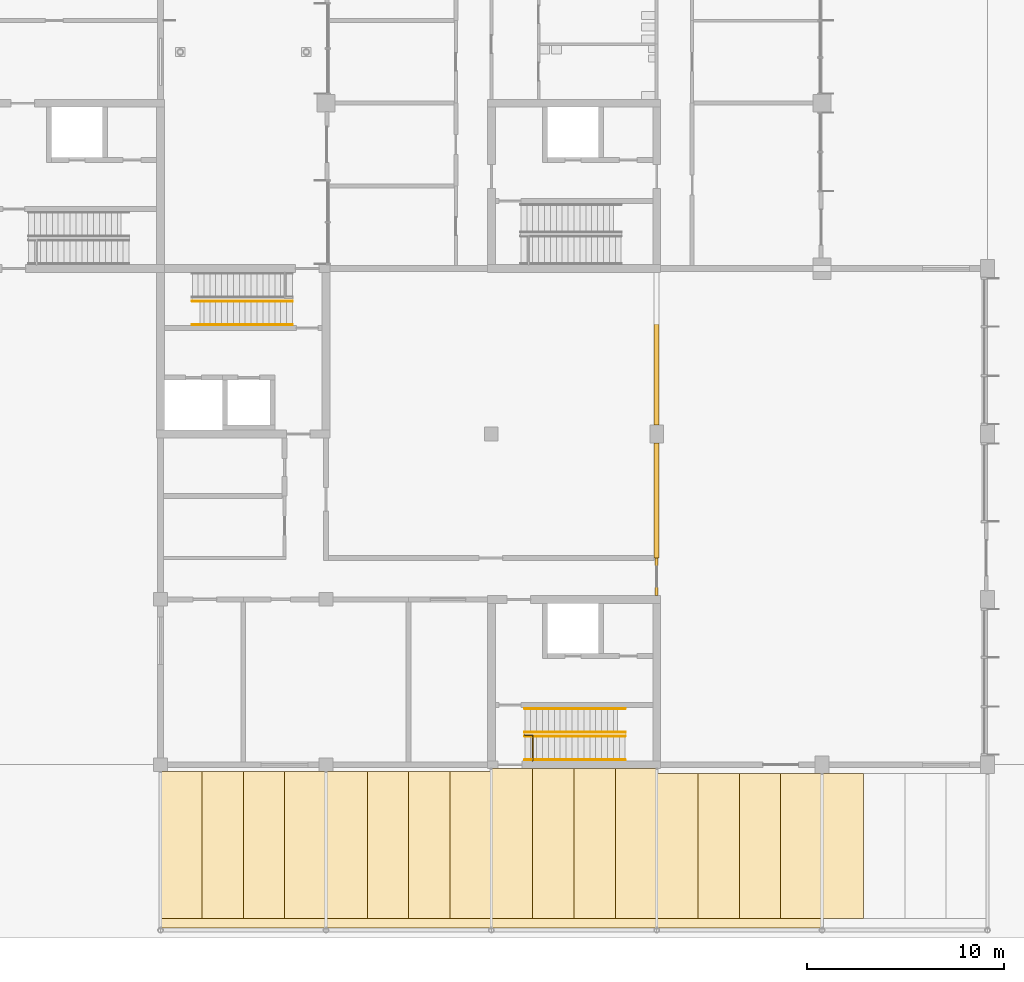
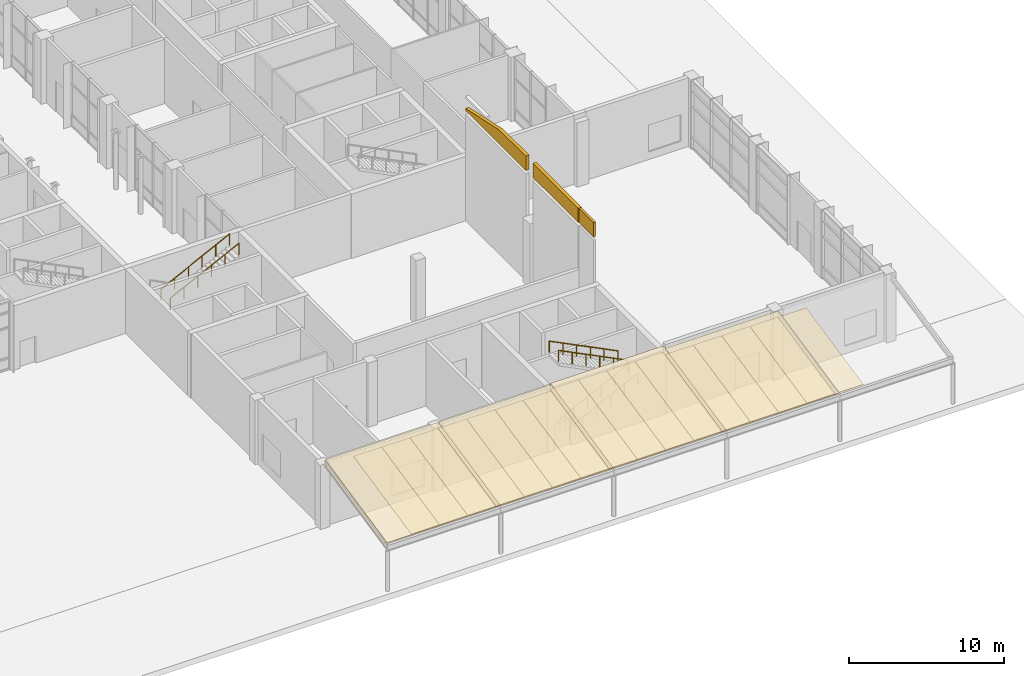
# One storey, part 63 of 76: 24 coverings, 7 railings.
"""IFC4 building model written with IfcOpenShell, lengths in metres."""

from ifc_helpers import new_model, si_unit, direction, frame, frame_2d, origin, origin_2d, place, context, subcontext, project, spatial, polyline, rectangle, circle, outline, extrude, material, layer, layer_set, type_object, element, save


model = new_model("IFC4")

# Units and contexts
model_context = context("Model", 3, precision=1e-05, world=origin(), true_north=direction((0.0, 1.0)))
body_context = subcontext(model_context, "Body", "Model", "MODEL_VIEW")
ifc_project = project(units=[si_unit("LENGTHUNIT", "METRE"), si_unit("AREAUNIT", "SQUARE_METRE"), si_unit("VOLUMEUNIT", "CUBIC_METRE"), si_unit("PLANEANGLEUNIT", "RADIAN"), si_unit("MASSUNIT", "GRAM", prefix="KILO")], contexts=[model_context])

# Site, building, storey
site_placement = place(None, origin())
site = spatial("IfcSite", under=ifc_project, at=site_placement, CompositionType="ELEMENT")
building_placement = place(site_placement, origin())
building = spatial("IfcBuilding", under=site, at=building_placement, Name="Hlaing Beacon Police Headquarters", CompositionType="ELEMENT")
storey_placement = place(building_placement, origin())
storey = spatial("IfcBuildingStorey", under=building, at=storey_placement, Name="L00", CompositionType="ELEMENT", Elevation=0.0)

# Coverings
ifc_material_1 = material(Name="Concrete blockwork 7.5 N/mm2", Category="masonry")
ifc_layer_1 = layer(ifc_material_1, 0.25)
ifc_layer_set_1 = layer_set([ifc_layer_1], Name="Concrete blockwork 7.5 N/mm2")
covering_type_1 = type_object("IfcCoveringType", Name="Closure panel, Armoury wall EI 120 250", PredefinedType="CLADDING", material=ifc_layer_set_1)
covering_1_placement = place(storey_placement, frame((117.60009765625, 18.89990234375, 8.654052734375), z_axis=(0.0, 0.0, 1.0), x_axis=(0.0, 1.0, 0.0)))
element("IfcCovering", 1, at=covering_1_placement, inside=storey, type_object=covering_type_1, Name="Closure panel Armoury wall EI 120 250", PredefinedType="CLADDING", context=body_context, shape_type="SweptSolid", body=[
    extrude(rectangle(XDim=5.85009765625, YDim=0.25, at=frame_2d((2.925048828125, 0.0))), origin(), (0.0, 0.0, 1.0), 1.115966796875),
])
covering_2_placement = place(storey_placement, frame((117.60009765625, 25.64990234375, 8.654052734375), z_axis=(0.0, 0.0, 1.0), x_axis=(0.0, 1.0, 0.0)))
element("IfcCovering", 2, at=covering_2_placement, inside=storey, type_object=covering_type_1, Name="Closure panel Armoury wall EI 120 250", PredefinedType="CLADDING", context=body_context, shape_type="SweptSolid", body=[
    extrude(outline(polyline([(0.0, 0.0), (7.75, 0.0), (7.75, 0.168212890625), (5.050048828125, 0.750244140625), (3.3525390625, 1.115966796875), (0.0, 1.115966796875), (0.0, 0.0)])), frame((0.0, 0.125, 0.0), z_axis=(0.0, -1.0, 0.0), x_axis=(1.0, 0.0, 0.0)), (0.0, 0.0, 1.0), 0.25),
])
ifc_material_2 = material(Name="Gypsum board partition")
ifc_layer_2 = layer(ifc_material_2, 0.14990234375)
ifc_layer_set_2 = layer_set([ifc_layer_2], Name="Gypsum board partition")
covering_type_2 = type_object("IfcCoveringType", Name="Closure panel, Corridor wall EI 30 150", PredefinedType="CLADDING", material=ifc_layer_set_2)
covering_3_placement = place(storey_placement, frame((117.60009765625, 17.0, 8.654052734375), z_axis=(0.0, 0.0, 1.0), x_axis=(0.0, 1.0, 0.0)))
element("IfcCovering", 3, at=covering_3_placement, inside=storey, type_object=covering_type_2, Name="Closure panel Corridor wall EI 30 150", PredefinedType="CLADDING", context=body_context, shape_type="SweptSolid", body=[
    extrude(rectangle(XDim=1.89990234375, YDim=0.14990234375, at=frame_2d((0.949951171875, 0.0))), origin(), (0.0, 0.0, 1.0), 1.115966796875),
])
ifc_material_3 = material(Name="Standing seam aluminium roofing", Category="aluminium")
ifc_layer_3 = layer(ifc_material_3, 0.06005859375)
ifc_layer_set_3 = layer_set([ifc_layer_3], Name="Standing seam aluminium roofing")
covering_type_3 = type_object("IfcCoveringType", Name="Colonnade roofing 60", PredefinedType="ROOFING", material=ifc_layer_set_3)
covering_4_placement = place(storey_placement, frame((92.39990234375, 0.09521484375, 3.680419921875), z_axis=(0.0, -0.209527039294, 0.97780285324), x_axis=(1.0, 0.0, 0.0)))
element("IfcCovering", 4, at=covering_4_placement, inside=storey, type_object=covering_type_3, Name="South colonnade of the gymnasium and range roofing 1", PredefinedType="ROOFING", context=body_context, shape_type="SweptSolid", body=[
    extrude(outline(polyline([(0.0, 0.0), (8.400146484375, 0.0), (8.400146484375, 8.135417030145602), (0.0, 8.135417030145602), (0.0, 0.0)])), origin(), (0.0, 0.0, -1.0), 0.06005859375),
])
covering_5_placement = place(storey_placement, frame((100.800048828125, 0.09521484375, 3.680419921875), z_axis=(0.0, -0.209527039294, 0.97780285324), x_axis=(1.0, 0.0, 0.0)))
element("IfcCovering", 5, at=covering_5_placement, inside=storey, type_object=covering_type_3, Name="South colonnade of the gymnasium and range roofing 2", PredefinedType="ROOFING", context=body_context, shape_type="SweptSolid", body=[
    extrude(outline(polyline([(0.0, 0.0), (8.39990234375, 0.0), (8.39990234375, 8.1354170301456), (0.0, 8.1354170301456), (0.0, 0.0)])), origin(), (0.0, 0.0, -1.0), 0.06005859375),
])
covering_6_placement = place(storey_placement, frame((109.199951171875, 0.09521484375, 3.680419921875), z_axis=(0.0, -0.209510984856, 0.977806293304), x_axis=(1.0, 0.0, 0.0)))
element("IfcCovering", 6, at=covering_6_placement, inside=storey, type_object=covering_type_3, Name="South colonnade of the gymnasium and range roofing 3", PredefinedType="ROOFING", context=body_context, shape_type="SweptSolid", body=[
    extrude(outline(polyline([(0.0, 0.0), (8.400146484375, 0.0), (8.400146484375, 8.288693152853895), (0.0, 8.288693152853895), (0.0, 0.0)])), origin(), (0.0, 0.0, -1.0), 0.06005859375),
])
covering_7_placement = place(storey_placement, frame((117.60009765625, 0.09521484375, 3.680419921875), z_axis=(0.0, -0.209522862061, 0.977803748343), x_axis=(1.0, 0.0, 0.0)))
element("IfcCovering", 7, at=covering_7_placement, inside=storey, type_object=covering_type_3, Name="South colonnade of the gymnasium and range roofing 4", PredefinedType="ROOFING", context=body_context, shape_type="SweptSolid", body=[
    extrude(outline(polyline([(0.0, 0.0), (8.39990234375, 0.0), (8.39990234375, 8.033039698850168), (0.0, 8.033039698850168), (0.0, 0.0)])), origin(), (0.0, 0.0, -1.0), 0.06005859375),
])
ifc_material_4 = material(Name="Perforated aluminium", Category="aluminium")
ifc_layer_4 = layer(ifc_material_4, 0.0400390625)
ifc_layer_set_4 = layer_set([ifc_layer_4], Name="Perforated aluminium")
covering_type_4 = type_object("IfcCoveringType", Name="Perforated soffit panel 40", PredefinedType="CEILING", material=ifc_layer_set_4)
for number, where, z_axis, x_axis, name in (
    (8, (92.39990234375, 0.60009765625, 3.3154296875), (0.0, -0.209561913258, 0.977795379674), (1.0, 0.0, 0.0), "South colonnade of the gymnasium and range soffit 1.1"),
    (9, (94.5, 0.60009765625, 3.3154296875), (0.0, -0.209561913258, 0.977795379674), (1.0, 0.0, 0.0), "South colonnade of the gymnasium and range soffit 1.2"),
):
    element("IfcCovering", number, at=place(storey_placement, frame(where, z_axis=z_axis, x_axis=x_axis)), inside=storey, type_object=covering_type_4, Name=name, PredefinedType="CEILING", context=body_context, shape_type="SweptSolid", body=[
        extrude(outline(polyline([(0.0, 0.0), (2.10009765625, 0.0), (2.10009765625, 7.619131084828294), (0.0, 7.619131084828294), (0.0, 0.0)])), origin(), (0.0, 0.0, -1.0), 0.0400390625),
    ])
covering_8_placement = place(storey_placement, frame((96.60009765625, 0.60009765625, 3.3154296875), z_axis=(0.0, -0.209561913258, 0.977795379674), x_axis=(1.0, 0.0, 0.0)))
element("IfcCovering", 10, at=covering_8_placement, inside=storey, type_object=covering_type_4, Name="South colonnade of the gymnasium and range soffit 1.3", PredefinedType="CEILING", context=body_context, shape_type="SweptSolid", body=[
    extrude(outline(polyline([(0.0, 0.0), (2.099853515625, 0.0), (2.099853515625, 7.619131084828295), (0.0, 7.619131084828295), (0.0, 0.0)])), origin(), (0.0, 0.0, -1.0), 0.0400390625),
])
covering_9_placement = place(storey_placement, frame((98.699951171875, 0.60009765625, 3.3154296875), z_axis=(0.0, -0.209561913258, 0.977795379674), x_axis=(1.0, 0.0, 0.0)))
element("IfcCovering", 11, at=covering_9_placement, inside=storey, type_object=covering_type_4, Name="South colonnade of the gymnasium and range soffit 1.4", PredefinedType="CEILING", context=body_context, shape_type="SweptSolid", body=[
    extrude(outline(polyline([(0.0, 0.0), (2.10009765625, 0.0), (2.10009765625, 7.619131084828294), (0.0, 7.619131084828294), (0.0, 0.0)])), origin(), (0.0, 0.0, -1.0), 0.0400390625),
])
covering_10_placement = place(storey_placement, frame((100.800048828125, 0.60009765625, 3.3154296875), z_axis=(0.0, -0.209561913258, 0.977795379674), x_axis=(1.0, 0.0, 0.0)))
element("IfcCovering", 12, at=covering_10_placement, inside=storey, type_object=covering_type_4, Name="South colonnade of the gymnasium and range soffit 2.1", PredefinedType="CEILING", context=body_context, shape_type="SweptSolid", body=[
    extrude(outline(polyline([(0.0, 0.0), (2.099853515625, 0.0), (2.099853515625, 7.619131084828295), (0.0, 7.619131084828295), (0.0, 0.0)])), origin(), (0.0, 0.0, -1.0), 0.0400390625),
])
for number, where, z_axis, x_axis, name in (
    (13, (102.89990234375, 0.60009765625, 3.3154296875), (0.0, -0.209561913258, 0.977795379674), (1.0, 0.0, 0.0), "South colonnade of the gymnasium and range soffit 2.2"),
    (14, (105.0, 0.60009765625, 3.3154296875), (0.0, -0.209561913258, 0.977795379674), (1.0, 0.0, 0.0), "South colonnade of the gymnasium and range soffit 2.3"),
):
    element("IfcCovering", number, at=place(storey_placement, frame(where, z_axis=z_axis, x_axis=x_axis)), inside=storey, type_object=covering_type_4, Name=name, PredefinedType="CEILING", context=body_context, shape_type="SweptSolid", body=[
        extrude(outline(polyline([(0.0, 0.0), (2.10009765625, 0.0), (2.10009765625, 7.619131084828294), (0.0, 7.619131084828294), (0.0, 0.0)])), origin(), (0.0, 0.0, -1.0), 0.0400390625),
    ])
covering_11_placement = place(storey_placement, frame((107.10009765625, 0.60009765625, 3.3154296875), z_axis=(0.0, -0.209561913258, 0.977795379674), x_axis=(1.0, 0.0, 0.0)))
element("IfcCovering", 15, at=covering_11_placement, inside=storey, type_object=covering_type_4, Name="South colonnade of the gymnasium and range soffit 2.4", PredefinedType="CEILING", context=body_context, shape_type="SweptSolid", body=[
    extrude(outline(polyline([(0.0, 0.0), (2.099853515625, 0.0), (2.099853515625, 7.619131084828295), (0.0, 7.619131084828295), (0.0, 0.0)])), origin(), (0.0, 0.0, -1.0), 0.0400390625),
])
covering_12_placement = place(storey_placement, frame((109.199951171875, 0.60009765625, 3.3154296875), z_axis=(0.0, -0.209544104791, 0.97779919623), x_axis=(1.0, 0.0, 0.0)))
element("IfcCovering", 16, at=covering_12_placement, inside=storey, type_object=covering_type_4, Name="South colonnade of the gymnasium and range soffit 3.1", PredefinedType="CEILING", context=body_context, shape_type="SweptSolid", body=[
    extrude(outline(polyline([(0.0, 0.0), (2.10009765625, 0.0), (2.10009765625, 7.772407202757168), (0.0, 7.772407202757168), (0.0, 0.0)])), origin(), (0.0, 0.0, -1.0), 0.0400390625),
])
covering_13_placement = place(storey_placement, frame((111.300048828125, 0.60009765625, 3.3154296875), z_axis=(0.0, -0.209544104791, 0.97779919623), x_axis=(1.0, 0.0, 0.0)))
element("IfcCovering", 17, at=covering_13_placement, inside=storey, type_object=covering_type_4, Name="South colonnade of the gymnasium and range soffit 3.2", PredefinedType="CEILING", context=body_context, shape_type="SweptSolid", body=[
    extrude(outline(polyline([(0.0, 0.0), (2.099853515625, 0.0), (2.099853515625, 7.772407202757167), (0.0, 7.772407202757167), (0.0, 0.0)])), origin(), (0.0, 0.0, -1.0), 0.0400390625),
])
for number, where, z_axis, x_axis, name in (
    (18, (113.39990234375, 0.60009765625, 3.3154296875), (0.0, -0.209544104791, 0.97779919623), (1.0, 0.0, 0.0), "South colonnade of the gymnasium and range soffit 3.3"),
    (19, (115.5, 0.60009765625, 3.3154296875), (0.0, -0.209544104791, 0.97779919623), (1.0, 0.0, 0.0), "South colonnade of the gymnasium and range soffit 3.4"),
):
    element("IfcCovering", number, at=place(storey_placement, frame(where, z_axis=z_axis, x_axis=x_axis)), inside=storey, type_object=covering_type_4, Name=name, PredefinedType="CEILING", context=body_context, shape_type="SweptSolid", body=[
        extrude(outline(polyline([(0.0, 0.0), (2.10009765625, 0.0), (2.10009765625, 7.772407202757168), (0.0, 7.772407202757168), (0.0, 0.0)])), origin(), (0.0, 0.0, -1.0), 0.0400390625),
    ])
covering_14_placement = place(storey_placement, frame((117.60009765625, 0.60009765625, 3.3154296875), z_axis=(0.0, -0.209526870601, 0.977802889388), x_axis=(1.0, 0.0, 0.0)))
element("IfcCovering", 20, at=covering_14_placement, inside=storey, type_object=covering_type_4, Name="South colonnade of the gymnasium and range soffit 4.1", PredefinedType="CEILING", context=body_context, shape_type="SweptSolid", body=[
    extrude(outline(polyline([(0.0, 0.0), (2.099853515625, 0.0), (2.099853515625, 7.516702594551391), (0.0, 7.516702594551391), (0.0, 0.0)])), origin(), (0.0, 0.0, -1.0), 0.0400390625),
])
covering_15_placement = place(storey_placement, frame((119.699951171875, 0.60009765625, 3.3154296875), z_axis=(0.0, -0.209526870601, 0.977802889388), x_axis=(1.0, 0.0, 0.0)))
element("IfcCovering", 21, at=covering_15_placement, inside=storey, type_object=covering_type_4, Name="South colonnade of the gymnasium and range soffit 4.2", PredefinedType="CEILING", context=body_context, shape_type="SweptSolid", body=[
    extrude(outline(polyline([(0.0, 0.0), (2.10009765625, 0.0), (2.10009765625, 7.516702594551391), (0.0, 7.516702594551391), (0.0, 0.0)])), origin(), (0.0, 0.0, -1.0), 0.0400390625),
])
covering_16_placement = place(storey_placement, frame((121.800048828125, 0.60009765625, 3.3154296875), z_axis=(0.0, -0.209526870601, 0.977802889388), x_axis=(1.0, 0.0, 0.0)))
element("IfcCovering", 22, at=covering_16_placement, inside=storey, type_object=covering_type_4, Name="South colonnade of the gymnasium and range soffit 4.3", PredefinedType="CEILING", context=body_context, shape_type="SweptSolid", body=[
    extrude(outline(polyline([(0.0, 0.0), (2.099853515625, 0.0), (2.099853515625, 7.516702594551391), (0.0, 7.516702594551391), (0.0, 0.0)])), origin(), (0.0, 0.0, -1.0), 0.0400390625),
])
for number, where, z_axis, x_axis, name in (
    (23, (123.89990234375, 0.60009765625, 3.3154296875), (0.0, -0.209526870601, 0.977802889388), (1.0, 0.0, 0.0), "South colonnade of the gymnasium and range soffit 4.4"),
    (24, (126.0, 0.60009765625, 3.3154296875), (0.0, -0.209526870601, 0.977802889388), (1.0, 0.0, 0.0), "South colonnade of the gymnasium and range soffit 5.1"),
):
    element("IfcCovering", number, at=place(storey_placement, frame(where, z_axis=z_axis, x_axis=x_axis)), inside=storey, type_object=covering_type_4, Name=name, PredefinedType="CEILING", context=body_context, shape_type="SweptSolid", body=[
        extrude(outline(polyline([(0.0, 0.0), (2.10009765625, 0.0), (2.10009765625, 7.516702594551391), (0.0, 7.516702594551391), (0.0, 0.0)])), origin(), (0.0, 0.0, -1.0), 0.0400390625),
    ])

# Railings
ifc_material_5 = material(Name="Stainless steel", Category="steel")
railing_type_1 = type_object("IfcRailingType", Name="Stair guard 1100", PredefinedType="GUARDRAIL", material=ifc_material_5)
railing_placement = place(storey_placement, frame((111.300048828125, 8.60009765625, 0.0)))
element("IfcRailing", 25, at=railing_placement, inside=storey, type_object=railing_type_1, Name="Guard ST-H", PredefinedType="GUARDRAIL", context=body_context, shape_type="SweptSolid", body=[
    extrude(circle(Radius=0.02392578125, at=origin_2d()), frame((0.0, 0.0, 1.076171875), z_axis=(0.0, 1.0, 0.0), x_axis=(-1.0, 0.0, 0.0)), (0.0, 0.0, 1.0), 1.2998046875),
    extrude(circle(Radius=0.02392578125, at=origin_2d()), frame((0.0, 1.2998046875, 1.076171875), z_axis=(-1.0, 0.0, 0.0), x_axis=(0.0, -1.0, 0.0)), (0.0, 0.0, 1.0), 0.400146484375),
    extrude(circle(Radius=0.02099609375, at=origin_2d()), origin(), (0.0, 0.0, 1.0), 1.052001953125),
    extrude(circle(Radius=0.02099609375, at=origin_2d()), frame((0.0, 0.64990234375, 0.0)), (0.0, 0.0, 1.0), 1.052001953125),
    extrude(circle(Radius=0.02099609375, at=origin_2d()), frame((0.0, 1.2998046875, 0.0)), (0.0, 0.0, 1.0), 1.052001953125),
    extrude(circle(Radius=0.02099609375, at=origin_2d()), frame((-0.400146484375, 1.2998046875, 0.0)), (0.0, 0.0, 1.0), 1.052001953125),
])
ifc_material_6 = material(Name="Stainless steel", Category="steel")
railing_type_2 = type_object("IfcRailingType", Name="Stair handrail 900", PredefinedType="HANDRAIL", material=ifc_material_6)
for number, where, name in (
    (26, (94.0, 31.949951171875, 2.85009765625), "Handrail ST-G"),
    (27, (94.0, 30.75, 2.85009765625), "Handrail ST-G"),
):
    element("IfcRailing", number, at=place(storey_placement, frame(where)), inside=storey, type_object=railing_type_2, Name=name, PredefinedType="HANDRAIL", context=body_context, shape_type="SweptSolid", body=[
        extrude(circle(Radius=0.02392578125, at=origin_2d()), frame((0.0, 0.0, 0.8759765625), z_axis=(0.89444431709, 0.0, 0.44717934168), x_axis=(0.0, 1.0, 0.0)), (0.0, 0.0, 1.0), 5.701904296875),
        extrude(circle(Radius=0.02099609375, at=origin_2d()), origin(), (0.0, 0.0, 1.0), 0.851806640625),
        extrude(circle(Radius=0.02099609375, at=origin_2d()), frame((1.02001953125, 0.0, 0.510009765625)), (0.0, 0.0, 1.0), 0.851806640625),
        extrude(circle(Radius=0.02099609375, at=origin_2d()), frame((2.0400390625, 0.0, 1.02001953125)), (0.0, 0.0, 1.0), 0.851806640625),
        extrude(circle(Radius=0.02099609375, at=origin_2d()), frame((3.06005859375, 0.0, 1.52978515625)), (0.0, 0.0, 1.0), 0.851806640625),
        extrude(circle(Radius=0.02099609375, at=origin_2d()), frame((4.080078125, 0.0, 2.039794921875)), (0.0, 0.0, 1.0), 0.851806640625),
        extrude(circle(Radius=0.02099609375, at=origin_2d()), frame((5.10009765625, 0.0, 2.5498046875)), (0.0, 0.0, 1.0), 0.851806640625),
    ])
for number, where, name in (
    (28, (110.89990234375, 8.64990234375, 0.14990234375), "Handrail ST-H"),
    (29, (110.89990234375, 9.85009765625, 0.14990234375), "Handrail ST-H"),
):
    element("IfcRailing", number, at=place(storey_placement, frame(where)), inside=storey, type_object=railing_type_2, Name=name, PredefinedType="HANDRAIL", context=body_context, shape_type="SweptSolid", body=[
        extrude(circle(Radius=0.02392578125, at=origin_2d()), frame((0.0, 0.0, 0.8759765625), z_axis=(0.894427191, 0.0, 0.4472135955), x_axis=(0.0, 1.0, 0.0)), (0.0, 0.0, 1.0), 5.7021484375),
        extrude(circle(Radius=0.02099609375, at=origin_2d()), origin(), (0.0, 0.0, 1.0), 0.851806640625),
        extrude(circle(Radius=0.02099609375, at=origin_2d()), frame((1.02001953125, 0.0, 0.510009765625)), (0.0, 0.0, 1.0), 0.851806640625),
        extrude(circle(Radius=0.02099609375, at=origin_2d()), frame((2.0400390625, 0.0, 1.02001953125)), (0.0, 0.0, 1.0), 0.851806640625),
        extrude(circle(Radius=0.02099609375, at=origin_2d()), frame((3.06005859375, 0.0, 1.530029296875)), (0.0, 0.0, 1.0), 0.851806640625),
        extrude(circle(Radius=0.02099609375, at=origin_2d()), frame((4.080078125, 0.0, 2.0400390625)), (0.0, 0.0, 1.0), 0.851806640625),
        extrude(circle(Radius=0.02099609375, at=origin_2d()), frame((5.10009765625, 0.0, 2.550048828125)), (0.0, 0.0, 1.0), 0.851806640625),
    ])
for number, where, name in (
    (30, (116.0, 10.050048828125, 2.85009765625), "Handrail ST-H"),
    (31, (116.0, 11.25, 2.85009765625), "Handrail ST-H"),
):
    element("IfcRailing", number, at=place(storey_placement, frame(where)), inside=storey, type_object=railing_type_2, Name=name, PredefinedType="HANDRAIL", context=body_context, shape_type="SweptSolid", body=[
        extrude(circle(Radius=0.02392578125, at=origin_2d()), frame((0.0, 0.0, 0.8759765625), z_axis=(-0.89444431709, 0.0, 0.44717934168), x_axis=(0.0, -1.0, 0.0)), (0.0, 0.0, 1.0), 5.701904296875),
        extrude(circle(Radius=0.02099609375, at=origin_2d()), origin(), (0.0, 0.0, 1.0), 0.851806640625),
        extrude(circle(Radius=0.02099609375, at=origin_2d()), frame((-1.02001953125, 0.0, 0.510009765625)), (0.0, 0.0, 1.0), 0.851806640625),
        extrude(circle(Radius=0.02099609375, at=origin_2d()), frame((-2.0400390625, 0.0, 1.02001953125)), (0.0, 0.0, 1.0), 0.851806640625),
        extrude(circle(Radius=0.02099609375, at=origin_2d()), frame((-3.06005859375, 0.0, 1.52978515625)), (0.0, 0.0, 1.0), 0.851806640625),
        extrude(circle(Radius=0.02099609375, at=origin_2d()), frame((-4.080078125, 0.0, 2.039794921875)), (0.0, 0.0, 1.0), 0.851806640625),
        extrude(circle(Radius=0.02099609375, at=origin_2d()), frame((-5.10009765625, 0.0, 2.5498046875)), (0.0, 0.0, 1.0), 0.851806640625),
    ])

save(model, "model.ifc")
